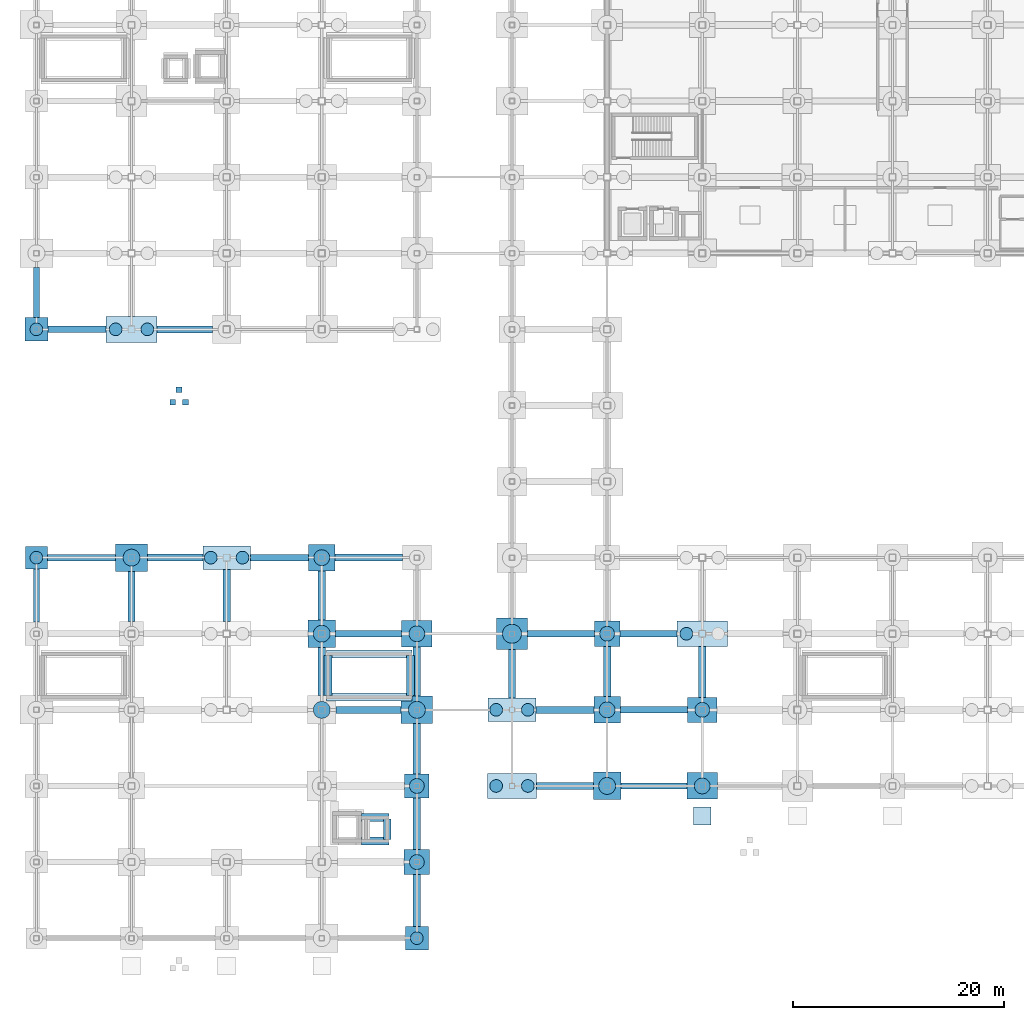
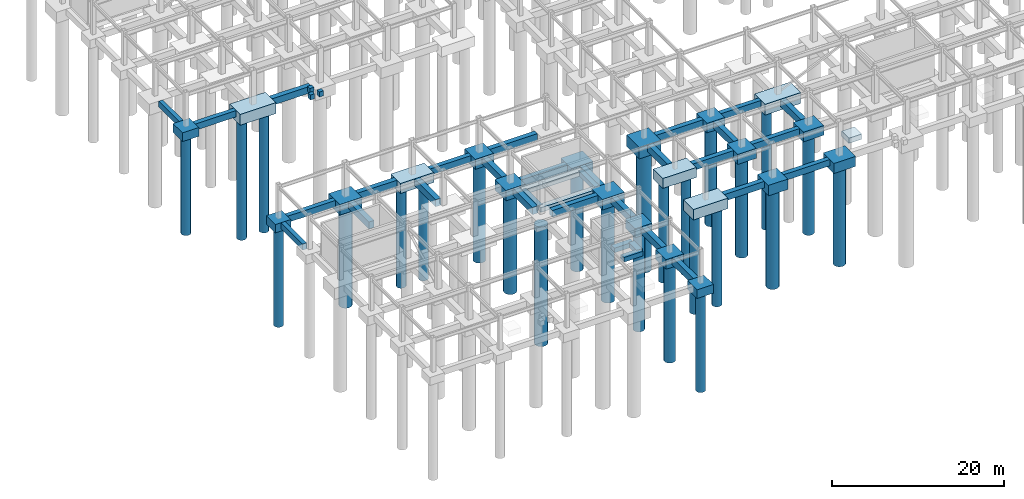
# One storey, part 2 of 28: 59 footings, 26 piles.
"""IFC4 building model written with IfcOpenShell, lengths in metres."""

from ifc_helpers import new_model, si_unit, direction, frame, origin, origin_2d, place, context, subcontext, project, spatial, rectangle, circle, extrude, material, material_profile, profile_set, type_object, element, save


model = new_model("IFC4")

# Units and contexts
model_context = context("Model", 3, precision=1e-05, world=origin(), true_north=direction((0.0, 1.0)))
body_context = subcontext(model_context, "Body", "Model", "MODEL_VIEW")
ifc_project = project(units=[si_unit("LENGTHUNIT", "METRE"), si_unit("AREAUNIT", "SQUARE_METRE"), si_unit("VOLUMEUNIT", "CUBIC_METRE"), si_unit("PLANEANGLEUNIT", "RADIAN"), si_unit("MASSUNIT", "GRAM", prefix="KILO")], contexts=[model_context])

# Site, building, storey
site_placement = place(None, origin())
site = spatial("IfcSite", under=ifc_project, at=site_placement, CompositionType="ELEMENT")
building_placement = place(site_placement, origin())
building = spatial("IfcBuilding", under=site, at=building_placement, Name="Kazanami Central Library", CompositionType="ELEMENT")
storey_placement = place(building_placement, frame((0.0, 0.0, -4.89990234375)))
storey = spatial("IfcBuildingStorey", under=building, at=storey_placement, Name="B01", CompositionType="ELEMENT", Elevation=-4.89990234375)

# Footings
ifc_material_1 = material(Name="Concrete Fc36 (36 MPa)", Category="concrete")
ifc_material_profile_1 = material_profile(ifc_material_1, rectangle(XDim=0.550048828125, YDim=0.85009765625, at=origin_2d()), Name="RC-550x850")
ifc_profile_set_1 = profile_set([ifc_material_profile_1], Name="Concrete Fc36 (36 MPa)")
footing_type_1 = type_object("IfcFootingType", Name="FTG-GB-01", PredefinedType="FOOTING_BEAM", material=ifc_profile_set_1)
footing_1_placement = place(storey_placement, frame((0.0, 29.89990234375, -0.425048828125), z_axis=(0.0, 1.0, 0.0), x_axis=(-1.0, 0.0, 0.0)))
element("IfcFooting", 1, at=footing_1_placement, inside=storey, type_object=footing_type_1, Name="Ground Tie Beam GB-01 1/E-F", PredefinedType="FOOTING_BEAM", context=body_context, shape_type="SweptSolid", body=[
    extrude(rectangle(XDim=0.550048828125, YDim=0.85009765625, at=origin_2d()), origin(), (0.0, 0.0, 1.0), 5.050048828125),
])
footing_2_placement = place(storey_placement, frame((0.0, 58.699951171875, -0.425048828125), z_axis=(0.0, 1.0, 0.0), x_axis=(-1.0, 0.0, 0.0)))
element("IfcFooting", 2, at=footing_2_placement, inside=storey, type_object=footing_type_1, Name="Ground Tie Beam GB-01 1/J-K", PredefinedType="FOOTING_BEAM", context=body_context, shape_type="SweptSolid", body=[
    extrude(rectangle(XDim=0.550048828125, YDim=0.85009765625, at=origin_2d()), origin(), (0.0, 0.0, 1.0), 4.75),
])
ifc_material_profile_2 = material_profile(ifc_material_1, rectangle(XDim=0.60009765625, YDim=0.89990234375, at=origin_2d()), Name="RC-600x900")
ifc_profile_set_2 = profile_set([ifc_material_profile_2], Name="Concrete Fc36 (36 MPa)")
footing_type_2 = type_object("IfcFootingType", Name="FTG-GB-02", PredefinedType="FOOTING_BEAM", material=ifc_profile_set_2)
footing_3_placement = place(storey_placement, frame((55.300048828125, 14.39990234375, -0.4501953125), z_axis=(1.0, 0.0, 0.0), x_axis=(0.0, 1.0, 0.0)))
element("IfcFooting", 3, at=footing_3_placement, inside=storey, type_object=footing_type_2, Name="Ground Tie Beam GB-02 C/7-8", PredefinedType="FOOTING_BEAM", context=body_context, shape_type="SweptSolid", body=[
    extrude(rectangle(XDim=0.60009765625, YDim=0.89990234375, at=origin_2d()), origin(), (0.0, 0.0, 1.0), 6.25),
])
footing_4_placement = place(storey_placement, frame((55.25, 21.60009765625, -0.4501953125), z_axis=(1.0, 0.0, 0.0), x_axis=(0.0, 1.0, 0.0)))
element("IfcFooting", 4, at=footing_4_placement, inside=storey, type_object=footing_type_2, Name="Ground Tie Beam GB-02 D/7-8", PredefinedType="FOOTING_BEAM", context=body_context, shape_type="SweptSolid", body=[
    extrude(rectangle(XDim=0.60009765625, YDim=0.89990234375, at=origin_2d()), origin(), (0.0, 0.0, 1.0), 6.375),
])
footing_5_placement = place(storey_placement, frame((55.199951171875, 28.800048828125, -0.4501953125), z_axis=(1.0, 0.0, 0.0), x_axis=(0.0, 1.0, 0.0)))
element("IfcFooting", 5, at=footing_5_placement, inside=storey, type_object=footing_type_2, Name="Ground Tie Beam GB-02 E/7-8", PredefinedType="FOOTING_BEAM", context=body_context, shape_type="SweptSolid", body=[
    extrude(rectangle(XDim=0.60009765625, YDim=0.89990234375, at=origin_2d()), origin(), (0.0, 0.0, 1.0), 5.400146484375),
])
footing_6_placement = place(storey_placement, frame((1.050048828125, 36.0, -0.4501953125), z_axis=(1.0, 0.0, 0.0), x_axis=(0.0, 1.0, 0.0)))
element("IfcFooting", 6, at=footing_6_placement, inside=storey, type_object=footing_type_2, Name="Ground Tie Beam GB-02 F/1-2", PredefinedType="FOOTING_BEAM", context=body_context, shape_type="SweptSolid", body=[
    extrude(rectangle(XDim=0.60009765625, YDim=0.89990234375, at=origin_2d()), origin(), (0.0, 0.0, 1.0), 6.449951171875),
])
for number, where, z_axis, x_axis, name in (
    (7, (20.25, 36.0, -0.4501953125), (1.0, 0.0, 0.0), (0.0, 1.0, 0.0), "Ground Tie Beam GB-02 F/3-4"),
    (8, (1.10009765625, 57.60009765625, -0.4501953125), (1.0, 0.0, 0.0), (0.0, 1.0, 0.0), "Ground Tie Beam GB-02 J/1-2"),
):
    element("IfcFooting", number, at=place(storey_placement, frame(where, z_axis=z_axis, x_axis=x_axis)), inside=storey, type_object=footing_type_2, Name=name, PredefinedType="FOOTING_BEAM", context=body_context, shape_type="SweptSolid", body=[
        extrude(rectangle(XDim=0.60009765625, YDim=0.89990234375, at=origin_2d()), origin(), (0.0, 0.0, 1.0), 5.5),
    ])
ifc_material_profile_3 = material_profile(ifc_material_1, rectangle(XDim=0.64990234375, YDim=0.949951171875, at=origin_2d()), Name="RC-650x950")
ifc_profile_set_3 = profile_set([ifc_material_profile_3], Name="Concrete Fc36 (36 MPa)")
footing_type_3 = type_object("IfcFootingType", Name="FTG-GB-03", PredefinedType="FOOTING_BEAM", material=ifc_profile_set_3)
footing_7_placement = place(storey_placement, frame((47.324951171875, 14.39990234375, -0.47509765625), z_axis=(1.0, 0.0, 0.0), x_axis=(0.0, 1.0, 0.0)))
element("IfcFooting", 9, at=footing_7_placement, inside=storey, type_object=footing_type_3, Name="Ground Tie Beam GB-03 C/6-7", PredefinedType="FOOTING_BEAM", context=body_context, shape_type="SweptSolid", body=[
    extrude(rectangle(XDim=0.64990234375, YDim=0.949951171875, at=origin_2d()), origin(), (0.0, 0.0, 1.0), 5.375),
])
footing_8_placement = place(storey_placement, frame((28.35009765625, 21.60009765625, -0.47509765625), z_axis=(1.0, 0.0, 0.0), x_axis=(0.0, 1.0, 0.0)))
element("IfcFooting", 10, at=footing_8_placement, inside=storey, type_object=footing_type_3, Name="Ground Tie Beam GB-03 D/4-5", PredefinedType="FOOTING_BEAM", context=body_context, shape_type="SweptSolid", body=[
    extrude(rectangle(XDim=0.64990234375, YDim=0.949951171875, at=origin_2d()), origin(), (0.0, 0.0, 1.0), 6.14990234375),
])
footing_9_placement = place(storey_placement, frame((47.25, 21.60009765625, -0.47509765625), z_axis=(1.0, 0.0, 0.0), x_axis=(0.0, 1.0, 0.0)))
element("IfcFooting", 11, at=footing_9_placement, inside=storey, type_object=footing_type_3, Name="Ground Tie Beam GB-03 D/6-7", PredefinedType="FOOTING_BEAM", context=body_context, shape_type="SweptSolid", body=[
    extrude(rectangle(XDim=0.64990234375, YDim=0.949951171875, at=origin_2d()), origin(), (0.0, 0.0, 1.0), 5.5),
])
footing_10_placement = place(storey_placement, frame((28.300048828125, 28.800048828125, -0.47509765625), z_axis=(1.0, 0.0, 0.0), x_axis=(0.0, 1.0, 0.0)))
element("IfcFooting", 12, at=footing_10_placement, inside=storey, type_object=footing_type_3, Name="Ground Tie Beam GB-03 E/4-5", PredefinedType="FOOTING_BEAM", context=body_context, shape_type="SweptSolid", body=[
    extrude(rectangle(XDim=0.64990234375, YDim=0.949951171875, at=origin_2d()), origin(), (0.0, 0.0, 1.0), 6.25),
])
footing_11_placement = place(storey_placement, frame((46.47509765625, 28.800048828125, -0.47509765625), z_axis=(1.0, 0.0, 0.0), x_axis=(0.0, 1.0, 0.0)))
element("IfcFooting", 13, at=footing_11_placement, inside=storey, type_object=footing_type_3, Name="Ground Tie Beam GB-03 E/6-7", PredefinedType="FOOTING_BEAM", context=body_context, shape_type="SweptSolid", body=[
    extrude(rectangle(XDim=0.64990234375, YDim=0.949951171875, at=origin_2d()), origin(), (0.0, 0.0, 1.0), 6.324951171875),
])
footing_12_placement = place(storey_placement, frame((10.5, 36.0, -0.47509765625), z_axis=(1.0, 0.0, 0.0), x_axis=(0.0, 1.0, 0.0)))
element("IfcFooting", 14, at=footing_12_placement, inside=storey, type_object=footing_type_3, Name="Ground Tie Beam GB-03 F/2-3", PredefinedType="FOOTING_BEAM", context=body_context, shape_type="SweptSolid", body=[
    extrude(rectangle(XDim=0.64990234375, YDim=0.949951171875, at=origin_2d()), origin(), (0.0, 0.0, 1.0), 5.25),
])
footing_13_placement = place(storey_placement, frame((28.25, 36.0, -0.47509765625), z_axis=(1.0, 0.0, 0.0), x_axis=(0.0, 1.0, 0.0)))
element("IfcFooting", 15, at=footing_13_placement, inside=storey, type_object=footing_type_3, Name="Ground Tie Beam GB-03 F/4-5", PredefinedType="FOOTING_BEAM", context=body_context, shape_type="SweptSolid", body=[
    extrude(rectangle(XDim=0.64990234375, YDim=0.949951171875, at=origin_2d()), origin(), (0.0, 0.0, 1.0), 6.375),
])
footing_14_placement = place(storey_placement, frame((11.39990234375, 57.60009765625, -0.47509765625), z_axis=(1.0, 0.0, 0.0), x_axis=(0.0, 1.0, 0.0)))
element("IfcFooting", 16, at=footing_14_placement, inside=storey, type_object=footing_type_3, Name="Ground Tie Beam GB-03 J/2-3", PredefinedType="FOOTING_BEAM", context=body_context, shape_type="SweptSolid", body=[
    extrude(rectangle(XDim=0.64990234375, YDim=0.949951171875, at=origin_2d()), origin(), (0.0, 0.0, 1.0), 5.25),
])
ifc_material_profile_4 = material_profile(ifc_material_1, rectangle(XDim=0.699951171875, YDim=1.0, at=origin_2d()), Name="RC-700x1000")
ifc_profile_set_4 = profile_set([ifc_material_profile_4], Name="Concrete Fc36 (36 MPa)")
footing_type_4 = type_object("IfcFootingType", Name="FTG-GB-04", PredefinedType="FOOTING_BEAM", material=ifc_profile_set_4)
footing_15_placement = place(storey_placement, frame((9.0, 29.949951171875, -0.5), z_axis=(0.0, 1.0, 0.0), x_axis=(-1.0, 0.0, 0.0)))
element("IfcFooting", 17, at=footing_15_placement, inside=storey, type_object=footing_type_4, Name="Ground Tie Beam GB-04 2/E-F", PredefinedType="FOOTING_BEAM", context=body_context, shape_type="SweptSolid", body=[
    extrude(rectangle(XDim=0.699951171875, YDim=1.0, at=origin_2d()), origin(), (0.0, 0.0, 1.0), 4.75),
])
footing_16_placement = place(storey_placement, frame((18.0, 29.97509765625, -0.5), z_axis=(0.0, 1.0, 0.0), x_axis=(-1.0, 0.0, 0.0)))
element("IfcFooting", 18, at=footing_16_placement, inside=storey, type_object=footing_type_4, Name="Ground Tie Beam GB-04 3/E-F", PredefinedType="FOOTING_BEAM", context=body_context, shape_type="SweptSolid", body=[
    extrude(rectangle(XDim=0.699951171875, YDim=1.0, at=origin_2d()), origin(), (0.0, 0.0, 1.0), 4.89990234375),
])
footing_17_placement = place(storey_placement, frame((27.0, 22.949951171875, -0.5), z_axis=(0.0, 1.0, 0.0), x_axis=(-1.0, 0.0, 0.0)))
element("IfcFooting", 19, at=footing_17_placement, inside=storey, type_object=footing_type_4, Name="Ground Tie Beam GB-04 4/D-E", PredefinedType="FOOTING_BEAM", context=body_context, shape_type="SweptSolid", body=[
    extrude(rectangle(XDim=0.699951171875, YDim=1.0, at=origin_2d()), origin(), (0.0, 0.0, 1.0), 4.550048828125),
])
footing_18_placement = place(storey_placement, frame((27.0, 30.10009765625, -0.5), z_axis=(0.0, 1.0, 0.0), x_axis=(-1.0, 0.0, 0.0)))
element("IfcFooting", 20, at=footing_18_placement, inside=storey, type_object=footing_type_4, Name="Ground Tie Beam GB-04 4/E-F", PredefinedType="FOOTING_BEAM", context=body_context, shape_type="SweptSolid", body=[
    extrude(rectangle(XDim=0.699951171875, YDim=1.0, at=origin_2d()), origin(), (0.0, 0.0, 1.0), 4.64990234375),
])
footing_19_placement = place(storey_placement, frame((36.0, 1.10009765625, -0.5), z_axis=(0.0, 1.0, 0.0), x_axis=(-1.0, 0.0, 0.0)))
element("IfcFooting", 21, at=footing_19_placement, inside=storey, type_object=footing_type_4, Name="Ground Tie Beam GB-04 5/A-B", PredefinedType="FOOTING_BEAM", context=body_context, shape_type="SweptSolid", body=[
    extrude(rectangle(XDim=0.699951171875, YDim=1.0, at=origin_2d()), origin(), (0.0, 0.0, 1.0), 4.89990234375),
])
footing_20_placement = place(storey_placement, frame((36.0, 8.39990234375, -0.5), z_axis=(0.0, 1.0, 0.0), x_axis=(-1.0, 0.0, 0.0)))
element("IfcFooting", 22, at=footing_20_placement, inside=storey, type_object=footing_type_4, Name="Ground Tie Beam GB-04 5/B-C", PredefinedType="FOOTING_BEAM", context=body_context, shape_type="SweptSolid", body=[
    extrude(rectangle(XDim=0.699951171875, YDim=1.0, at=origin_2d()), origin(), (0.0, 0.0, 1.0), 4.85009765625),
])
footing_21_placement = place(storey_placement, frame((36.0, 15.550048828125, -0.5), z_axis=(0.0, 1.0, 0.0), x_axis=(-1.0, 0.0, 0.0)))
element("IfcFooting", 23, at=footing_21_placement, inside=storey, type_object=footing_type_4, Name="Ground Tie Beam GB-04 5/C-D", PredefinedType="FOOTING_BEAM", context=body_context, shape_type="SweptSolid", body=[
    extrude(rectangle(XDim=0.699951171875, YDim=1.0, at=origin_2d()), origin(), (0.0, 0.0, 1.0), 4.75),
])
footing_22_placement = place(storey_placement, frame((36.0, 22.89990234375, -0.5), z_axis=(0.0, 1.0, 0.0), x_axis=(-1.0, 0.0, 0.0)))
element("IfcFooting", 24, at=footing_22_placement, inside=storey, type_object=footing_type_4, Name="Ground Tie Beam GB-04 5/D-E", PredefinedType="FOOTING_BEAM", context=body_context, shape_type="SweptSolid", body=[
    extrude(rectangle(XDim=0.699951171875, YDim=1.0, at=origin_2d()), origin(), (0.0, 0.0, 1.0), 4.650146484375),
])
footing_23_placement = place(storey_placement, frame((45.0, 22.72509765625, -0.5), z_axis=(0.0, 1.0, 0.0), x_axis=(-1.0, 0.0, 0.0)))
element("IfcFooting", 25, at=footing_23_placement, inside=storey, type_object=footing_type_4, Name="Ground Tie Beam GB-04 6/D-E", PredefinedType="FOOTING_BEAM", context=body_context, shape_type="SweptSolid", body=[
    extrude(rectangle(XDim=0.699951171875, YDim=1.0, at=origin_2d()), origin(), (0.0, 0.0, 1.0), 4.599853515625),
])
footing_24_placement = place(storey_placement, frame((54.0, 22.85009765625, -0.5), z_axis=(0.0, 1.0, 0.0), x_axis=(-1.0, 0.0, 0.0)))
element("IfcFooting", 26, at=footing_24_placement, inside=storey, type_object=footing_type_4, Name="Ground Tie Beam GB-04 7/D-E", PredefinedType="FOOTING_BEAM", context=body_context, shape_type="SweptSolid", body=[
    extrude(rectangle(XDim=0.699951171875, YDim=1.0, at=origin_2d()), origin(), (0.0, 0.0, 1.0), 4.75),
])
footing_25_placement = place(storey_placement, frame((63.0, 22.77490234375, -0.5), z_axis=(0.0, 1.0, 0.0), x_axis=(-1.0, 0.0, 0.0)))
element("IfcFooting", 27, at=footing_25_placement, inside=storey, type_object=footing_type_4, Name="Ground Tie Beam GB-04 8/D-E", PredefinedType="FOOTING_BEAM", context=body_context, shape_type="SweptSolid", body=[
    extrude(rectangle(XDim=0.699951171875, YDim=1.0, at=origin_2d()), origin(), (0.0, 0.0, 1.0), 4.800048828125),
])
footing_type_5 = type_object("IfcFootingType", Name="FTG-PC-04", PredefinedType="PILE_CAP", material=ifc_material_1)
for number, where, z_axis, x_axis, name in (
    (28, (9.0, 57.60009765625, -1.55029296875), (0.0, 0.0, 1.0), (1.0, 0.0, 0.0), "Pile Cap PC-04 at 2/J"),
    (29, (63.0, 28.800048828125, -1.55029296875), (0.0, 0.0, 1.0), (1.0, 0.0, 0.0), "Pile Cap PC-04 at 8/E"),
):
    element("IfcFooting", number, at=place(storey_placement, frame(where, z_axis=z_axis, x_axis=x_axis)), inside=storey, type_object=footing_type_5, Name=name, PredefinedType="PILE_CAP", context=body_context, shape_type="SweptSolid", body=[
        extrude(rectangle(XDim=4.800048828125, YDim=2.449951171875, at=origin_2d()), origin(), (0.0, 0.0, 1.0), 1.550048828125),
    ])
footing_type_6 = type_object("IfcFootingType", Name="FTG-PC-05", PredefinedType="PILE_CAP", material=ifc_material_1)
footing_26_placement = place(storey_placement, frame((45.0, 14.39990234375, -1.47998046875), z_axis=(0.0, 0.0, 1.0), x_axis=(1.0, 0.0, 0.0)))
element("IfcFooting", 30, at=footing_26_placement, inside=storey, type_object=footing_type_6, Name="Pile Cap PC-05 at 6/C", PredefinedType="PILE_CAP", context=body_context, shape_type="SweptSolid", body=[
    extrude(rectangle(XDim=4.64990234375, YDim=2.35009765625, at=origin_2d()), origin(), (0.0, 0.0, 1.0), 1.47998046875),
])
footing_type_7 = type_object("IfcFootingType", Name="FTG-PC-06", PredefinedType="PILE_CAP", material=ifc_material_1)
for number, where, z_axis, x_axis, name in (
    (31, (18.0, 36.0, -1.420166015625), (0.0, 0.0, 1.0), (1.0, 0.0, 0.0), "Pile Cap PC-06 at 3/F"),
    (32, (45.0, 21.60009765625, -1.420166015625), (0.0, 0.0, 1.0), (1.0, 0.0, 0.0), "Pile Cap PC-06 at 6/D"),
):
    element("IfcFooting", number, at=place(storey_placement, frame(where, z_axis=z_axis, x_axis=x_axis)), inside=storey, type_object=footing_type_7, Name=name, PredefinedType="PILE_CAP", context=body_context, shape_type="SweptSolid", body=[
        extrude(rectangle(XDim=4.5, YDim=2.25, at=origin_2d()), origin(), (0.0, 0.0, 1.0), 1.419921875),
    ])
footing_type_8 = type_object("IfcFootingType", Name="FTG-PC-07", PredefinedType="PILE_CAP", material=ifc_material_1)
footing_27_placement = place(storey_placement, frame((45.0, 28.800048828125, -1.650146484375), z_axis=(0.0, 0.0, 1.0), x_axis=(1.0, 0.0, 0.0)))
element("IfcFooting", 33, at=footing_27_placement, inside=storey, type_object=footing_type_8, Name="Pile Cap PC-07 at 6/E", PredefinedType="PILE_CAP", context=body_context, shape_type="SweptSolid", body=[
    extrude(rectangle(XDim=2.949951171875, YDim=2.949951171875, at=origin_2d()), origin(), (0.0, 0.0, 1.0), 1.64990234375),
])
footing_type_9 = type_object("IfcFootingType", Name="FTG-PC-10", PredefinedType="PILE_CAP", material=ifc_material_1)
for number, where, z_axis, x_axis, name in (
    (34, (27.0, 28.800048828125, -1.47998046875), (0.0, 0.0, 1.0), (1.0, 0.0, 0.0), "Pile Cap PC-10 at 4/E"),
    (35, (54.0, 14.39990234375, -1.47998046875), (0.0, 0.0, 1.0), (1.0, 0.0, 0.0), "Pile Cap PC-10 at 7/C"),
):
    element("IfcFooting", number, at=place(storey_placement, frame(where, z_axis=z_axis, x_axis=x_axis)), inside=storey, type_object=footing_type_9, Name=name, PredefinedType="PILE_CAP", context=body_context, shape_type="SweptSolid", body=[
        extrude(rectangle(XDim=2.60009765625, YDim=2.60009765625, at=origin_2d()), origin(), (0.0, 0.0, 1.0), 1.47998046875),
    ])
footing_type_10 = type_object("IfcFootingType", Name="FTG-PC-11", PredefinedType="PILE_CAP", material=ifc_material_1)
for number, where, z_axis, x_axis, name in (
    (36, (27.0, 36.0, -1.420166015625), (0.0, 0.0, 1.0), (1.0, 0.0, 0.0), "Pile Cap PC-11 at 4/F"),
    (37, (54.0, 21.60009765625, -1.420166015625), (0.0, 0.0, 1.0), (1.0, 0.0, 0.0), "Pile Cap PC-11 at 7/D"),
):
    element("IfcFooting", number, at=place(storey_placement, frame(where, z_axis=z_axis, x_axis=x_axis)), inside=storey, type_object=footing_type_10, Name=name, PredefinedType="PILE_CAP", context=body_context, shape_type="SweptSolid", body=[
        extrude(rectangle(XDim=2.5, YDim=2.5, at=origin_2d()), origin(), (0.0, 0.0, 1.0), 1.419921875),
    ])
footing_type_11 = type_object("IfcFootingType", Name="FTG-PC-12", PredefinedType="PILE_CAP", material=ifc_material_1)
for number, where, z_axis, x_axis, name in (
    (38, (36.0, 7.199951171875, -1.3603515625), (0.0, 0.0, 1.0), (1.0, 0.0, 0.0), "Pile Cap PC-12 at 5/B"),
    (39, (54.0, 28.800048828125, -1.3603515625), (0.0, 0.0, 1.0), (1.0, 0.0, 0.0), "Pile Cap PC-12 at 7/E"),
):
    element("IfcFooting", number, at=place(storey_placement, frame(where, z_axis=z_axis, x_axis=x_axis)), inside=storey, type_object=footing_type_11, Name=name, PredefinedType="PILE_CAP", context=body_context, shape_type="SweptSolid", body=[
        extrude(rectangle(XDim=2.39990234375, YDim=2.39990234375, at=origin_2d()), origin(), (0.0, 0.0, 1.0), 1.360107421875),
    ])
footing_type_12 = type_object("IfcFootingType", Name="FTG-PC-13", PredefinedType="PILE_CAP", material=ifc_material_1)
footing_28_placement = place(storey_placement, frame((36.0, 14.39990234375, -1.30029296875), z_axis=(0.0, 0.0, 1.0), x_axis=(1.0, 0.0, 0.0)))
element("IfcFooting", 40, at=footing_28_placement, inside=storey, type_object=footing_type_12, Name="Pile Cap PC-13 at 5/C", PredefinedType="PILE_CAP", context=body_context, shape_type="SweptSolid", body=[
    extrude(rectangle(XDim=2.300048828125, YDim=2.300048828125, at=origin_2d()), origin(), (0.0, 0.0, 1.0), 1.300048828125),
])
footing_type_13 = type_object("IfcFootingType", Name="FTG-PC-14", PredefinedType="PILE_CAP", material=ifc_material_1)
for number, where, z_axis, x_axis, name in (
    (41, (0.0, 57.60009765625, -1.25), (0.0, 0.0, 1.0), (1.0, 0.0, 0.0), "Pile Cap PC-14 at 1/J"),
    (42, (36.0, 0.0, -1.25), (0.0, 0.0, 1.0), (1.0, 0.0, 0.0), "Pile Cap PC-14 at 5/A"),
):
    element("IfcFooting", number, at=place(storey_placement, frame(where, z_axis=z_axis, x_axis=x_axis)), inside=storey, type_object=footing_type_13, Name=name, PredefinedType="PILE_CAP", context=body_context, shape_type="SweptSolid", body=[
        extrude(rectangle(XDim=2.199951171875, YDim=2.199951171875, at=origin_2d()), origin(), (0.0, 0.0, 1.0), 1.25),
    ])
footing_type_14 = type_object("IfcFootingType", Name="FTG-PC-15", PredefinedType="PILE_CAP", material=ifc_material_1)
footing_29_placement = place(storey_placement, frame((0.0, 36.0, -1.2001953125), z_axis=(0.0, 0.0, 1.0), x_axis=(1.0, 0.0, 0.0)))
element("IfcFooting", 43, at=footing_29_placement, inside=storey, type_object=footing_type_14, Name="Pile Cap PC-15 at 1/F", PredefinedType="PILE_CAP", context=body_context, shape_type="SweptSolid", body=[
    extrude(rectangle(XDim=2.10009765625, YDim=2.10009765625, at=origin_2d()), origin(), (0.0, 0.0, 1.0), 1.199951171875),
])
footing_type_15 = type_object("IfcFootingType", Name="FTG-PC-18", PredefinedType="PILE_CAP", material=ifc_material_1)
for number, where, z_axis, x_axis, name in (
    (44, (9.0, 36.0, -1.5), (0.0, 0.0, 1.0), (1.0, 0.0, 0.0), "Pile Cap PC-18 at 2/F"),
    (45, (36.0, 21.60009765625, -1.5), (0.0, 0.0, 1.0), (1.0, 0.0, 0.0), "Pile Cap PC-18 at 5/D"),
):
    element("IfcFooting", number, at=place(storey_placement, frame(where, z_axis=z_axis, x_axis=x_axis)), inside=storey, type_object=footing_type_15, Name=name, PredefinedType="PILE_CAP", context=body_context, shape_type="SweptSolid", body=[
        extrude(rectangle(XDim=3.0, YDim=2.60009765625, at=origin_2d()), origin(), (0.0, 0.0, 1.0), 1.5),
    ])
footing_type_16 = type_object("IfcFootingType", Name="FTG-PC-19", PredefinedType="PILE_CAP", material=ifc_material_1)
for number, where, z_axis, x_axis, name in (
    (46, (36.0, 28.800048828125, -1.440185546875), (0.0, 0.0, 1.0), (1.0, 0.0, 0.0), "Pile Cap PC-19 at 5/E"),
    (47, (63.0, 14.39990234375, -1.440185546875), (0.0, 0.0, 1.0), (1.0, 0.0, 0.0), "Pile Cap PC-19 at 8/C"),
):
    element("IfcFooting", number, at=place(storey_placement, frame(where, z_axis=z_axis, x_axis=x_axis)), inside=storey, type_object=footing_type_16, Name=name, PredefinedType="PILE_CAP", context=body_context, shape_type="SweptSolid", body=[
        extrude(rectangle(XDim=2.89990234375, YDim=2.5, at=origin_2d()), origin(), (0.0, 0.0, 1.0), 1.43994140625),
    ])
footing_type_17 = type_object("IfcFootingType", Name="FTG-PC-20", PredefinedType="PILE_CAP", material=ifc_material_1)
footing_30_placement = place(storey_placement, frame((63.0, 21.60009765625, -1.380126953125), z_axis=(0.0, 0.0, 1.0), x_axis=(1.0, 0.0, 0.0)))
element("IfcFooting", 48, at=footing_30_placement, inside=storey, type_object=footing_type_17, Name="Pile Cap PC-20 at 8/D", PredefinedType="PILE_CAP", context=body_context, shape_type="SweptSolid", body=[
    extrude(rectangle(XDim=2.75, YDim=2.35009765625, at=origin_2d()), origin(), (0.0, 0.0, 1.0), 1.3798828125),
])
ifc_material_2 = material(Name="Concrete Fc30 (30 MPa)", Category="concrete")
footing_type_18 = type_object("IfcFootingType", Name="FTG-PF-01", PredefinedType="PAD_FOOTING", material=ifc_material_2)
footing_31_placement = place(storey_placement, frame((63.0, 11.550048828125, 4.125), z_axis=(0.0, 0.0, 1.0), x_axis=(1.0, 0.0, 0.0)))
element("IfcFooting", 49, at=footing_31_placement, inside=storey, type_object=footing_type_18, Name="Canopy Post Pad Footing CAN-V1-SOUTH X=63", PredefinedType="PAD_FOOTING", context=body_context, shape_type="SweptSolid", body=[
    extrude(rectangle(XDim=1.699951171875, YDim=1.699951171875, at=origin_2d()), origin(), (0.0, 0.0, 1.0), 0.75),
])
footing_type_19 = type_object("IfcFootingType", Name="FTG-PF-R1", PredefinedType="PAD_FOOTING", material=ifc_material_2)
for number, where, z_axis, x_axis, name in (
    (50, (12.89990234375, 50.699951171875, 3.5498046875), (0.0, 0.0, 1.0), (1.0, 0.0, 0.0), "Ramp Apron Pad Footing RMP-GARDEN-NW.1"),
    (51, (14.10009765625, 50.699951171875, 3.5498046875), (0.0, 0.0, 1.0), (1.0, 0.0, 0.0), "Ramp Apron Pad Footing RMP-GARDEN-NW.2"),
    (52, (13.5, 51.8798828125, 3.5498046875), (0.0, 0.0, 1.0), (1.0, 0.0, 0.0), "Ramp Apron Pad Footing RMP-GARDEN-NW.3"),
):
    element("IfcFooting", number, at=place(storey_placement, frame(where, z_axis=z_axis, x_axis=x_axis)), inside=storey, type_object=footing_type_19, Name=name, PredefinedType="PAD_FOOTING", context=body_context, shape_type="SweptSolid", body=[
        extrude(rectangle(XDim=0.550048828125, YDim=0.550048828125, at=origin_2d()), origin(), (0.0, 0.0, 1.0), 0.699951171875),
    ])
ifc_material_profile_5 = material_profile(ifc_material_1, rectangle(XDim=0.75, YDim=0.64990234375, at=origin_2d()), Name="RC-750x650")
ifc_profile_set_5 = profile_set([ifc_material_profile_5], Name="Concrete Fc36 (36 MPa)")
footing_type_20 = type_object("IfcFootingType", Name="FTG-SF-750", PredefinedType="STRIP_FOOTING", material=ifc_profile_set_5)
for number, where, z_axis, x_axis, name in (
    (53, (27.449951171875, 22.800048828125, -0.3251953125), (1.0, 0.0, 0.0), (0.0, 1.0, 0.0), "Stair Core Strip Footing ST-08 S"),
    (54, (27.449951171875, 26.89990234375, -0.3251953125), (1.0, 0.0, 0.0), (0.0, 1.0, 0.0), "Stair Core Strip Footing ST-08 N"),
):
    element("IfcFooting", number, at=place(storey_placement, frame(where, z_axis=z_axis, x_axis=x_axis)), inside=storey, type_object=footing_type_20, Name=name, PredefinedType="STRIP_FOOTING", context=body_context, shape_type="SweptSolid", body=[
        extrude(rectangle(XDim=0.75, YDim=0.64990234375, at=origin_2d()), origin(), (0.0, 0.0, 1.0), 8.10009765625),
    ])
for number, where, z_axis, x_axis, name in (
    (55, (27.60009765625, 22.949951171875, -0.3251953125), (0.0, 1.0, 0.0), (-1.0, 0.0, 0.0), "Stair Core Strip Footing ST-08 W"),
    (56, (35.39990234375, 22.949951171875, -0.3251953125), (0.0, 1.0, 0.0), (-1.0, 0.0, 0.0), "Stair Core Strip Footing ST-08 E"),
):
    element("IfcFooting", number, at=place(storey_placement, frame(where, z_axis=z_axis, x_axis=x_axis)), inside=storey, type_object=footing_type_20, Name=name, PredefinedType="STRIP_FOOTING", context=body_context, shape_type="SweptSolid", body=[
        extrude(rectangle(XDim=0.75, YDim=0.64990234375, at=origin_2d()), origin(), (0.0, 0.0, 1.0), 3.800048828125),
    ])
for number, where, z_axis, x_axis, name in (
    (57, (30.77490234375, 9.199951171875, -0.3251953125), (1.0, 0.0, 0.0), (0.0, 1.0, 0.0), "Riser Shaft Strip Footing RSR-V3-A S"),
    (58, (30.77490234375, 11.39990234375, -0.3251953125), (1.0, 0.0, 0.0), (0.0, 1.0, 0.0), "Riser Shaft Strip Footing RSR-V3-A N"),
):
    element("IfcFooting", number, at=place(storey_placement, frame(where, z_axis=z_axis, x_axis=x_axis)), inside=storey, type_object=footing_type_20, Name=name, PredefinedType="STRIP_FOOTING", context=body_context, shape_type="SweptSolid", body=[
        extrude(rectangle(XDim=0.75, YDim=0.64990234375, at=origin_2d()), origin(), (0.0, 0.0, 1.0), 2.5751953125),
    ])
footing_32_placement = place(storey_placement, frame((33.199951171875, 9.35009765625, -0.3251953125), z_axis=(0.0, 1.0, 0.0), x_axis=(-1.0, 0.0, 0.0)))
element("IfcFooting", 59, at=footing_32_placement, inside=storey, type_object=footing_type_20, Name="Riser Shaft Strip Footing RSR-V3-A E", PredefinedType="STRIP_FOOTING", context=body_context, shape_type="SweptSolid", body=[
    extrude(rectangle(XDim=0.75, YDim=0.64990234375, at=origin_2d()), origin(), (0.0, 0.0, 1.0), 1.89990234375),
])

# Piles
ifc_material_profile_6 = material_profile(ifc_material_1, circle(Radius=0.60009765625, at=origin_2d()), Name="BORED-D1200")
ifc_profile_set_6 = profile_set([ifc_material_profile_6], Name="Concrete Fc36 (36 MPa)")
pile_type_1 = type_object("IfcPileType", Name="PIL-PL-12", PredefinedType="BORED", material=ifc_profile_set_6)
for number, where, z_axis, x_axis, name in (
    (60, (0.0, 36.0, -1.2001953125), (0.0, 0.0, -1.0), (1.0, 0.0, 0.0), "Bored Pile PL-12 1/F-1"),
    (61, (0.0, 57.60009765625, -1.25), (0.0, 0.0, -1.0), (1.0, 0.0, 0.0), "Bored Pile PL-12 1/J-1"),
):
    element("IfcPile", number, at=place(storey_placement, frame(where, z_axis=z_axis, x_axis=x_axis)), inside=storey, type_object=pile_type_1, Name=name, PredefinedType="BORED", context=body_context, shape_type="SweptSolid", body=[
        extrude(circle(Radius=0.60009765625, at=origin_2d()), origin(), (0.0, 0.0, 1.0), 14.0),
    ])
for number, where, z_axis, x_axis, name in (
    (62, (7.5, 57.60009765625, -1.550048828125), (0.0, 0.0, -1.0), (1.0, 0.0, 0.0), "Bored Pile PL-12 2/J-1"),
    (63, (10.5, 57.60009765625, -1.550048828125), (0.0, 0.0, -1.0), (1.0, 0.0, 0.0), "Bored Pile PL-12 2/J-2"),
):
    element("IfcPile", number, at=place(storey_placement, frame(where, z_axis=z_axis, x_axis=x_axis)), inside=storey, type_object=pile_type_1, Name=name, PredefinedType="BORED", context=body_context, shape_type="SweptSolid", body=[
        extrude(circle(Radius=0.60009765625, at=origin_2d()), origin(), (0.0, 0.0, 1.0), 17.0),
    ])
for number, where, z_axis, x_axis, name in (
    (64, (16.5, 36.0, -1.420166015625), (0.0, 0.0, -1.0), (1.0, 0.0, 0.0), "Bored Pile PL-12 3/F-1"),
    (65, (19.5, 36.0, -1.420166015625), (0.0, 0.0, -1.0), (1.0, 0.0, 0.0), "Bored Pile PL-12 3/F-2"),
    (66, (36.0, 0.0, -1.25), (0.0, 0.0, -1.0), (1.0, 0.0, 0.0), "Bored Pile PL-12 5/A-1"),
    (67, (43.5, 14.39990234375, -1.47998046875), (0.0, 0.0, -1.0), (1.0, 0.0, 0.0), "Bored Pile PL-12 6/C-1"),
    (68, (46.5, 14.39990234375, -1.47998046875), (0.0, 0.0, -1.0), (1.0, 0.0, 0.0), "Bored Pile PL-12 6/C-2"),
    (69, (43.5, 21.60009765625, -1.420166015625), (0.0, 0.0, -1.0), (1.0, 0.0, 0.0), "Bored Pile PL-12 6/D-1"),
    (70, (46.5, 21.60009765625, -1.420166015625), (0.0, 0.0, -1.0), (1.0, 0.0, 0.0), "Bored Pile PL-12 6/D-2"),
):
    element("IfcPile", number, at=place(storey_placement, frame(where, z_axis=z_axis, x_axis=x_axis)), inside=storey, type_object=pile_type_1, Name=name, PredefinedType="BORED", context=body_context, shape_type="SweptSolid", body=[
        extrude(circle(Radius=0.60009765625, at=origin_2d()), origin(), (0.0, 0.0, 1.0), 14.0),
    ])
pile_1_placement = place(storey_placement, frame((61.5, 28.800048828125, -1.550048828125), z_axis=(0.0, 0.0, -1.0), x_axis=(1.0, 0.0, 0.0)))
element("IfcPile", 71, at=pile_1_placement, inside=storey, type_object=pile_type_1, Name="Bored Pile PL-12 8/E-1", PredefinedType="BORED", context=body_context, shape_type="SweptSolid", body=[
    extrude(circle(Radius=0.60009765625, at=origin_2d()), origin(), (0.0, 0.0, 1.0), 17.0),
])
ifc_material_profile_7 = material_profile(ifc_material_1, circle(Radius=0.699951171875, at=origin_2d()), Name="BORED-D1400")
ifc_profile_set_7 = profile_set([ifc_material_profile_7], Name="Concrete Fc36 (36 MPa)")
pile_type_2 = type_object("IfcPileType", Name="PIL-PL-14", PredefinedType="BORED", material=ifc_profile_set_7)
for number, where, z_axis, x_axis, name in (
    (72, (36.0, 7.199951171875, -1.360107421875), (0.0, 0.0, -1.0), (1.0, 0.0, 0.0), "Bored Pile PL-14 5/B-1"),
    (73, (36.0, 14.39990234375, -1.300048828125), (0.0, 0.0, -1.0), (1.0, 0.0, 0.0), "Bored Pile PL-14 5/C-1"),
    (74, (54.0, 28.800048828125, -1.360107421875), (0.0, 0.0, -1.0), (1.0, 0.0, 0.0), "Bored Pile PL-14 7/E-1"),
    (75, (63.0, 21.60009765625, -1.380126953125), (0.0, 0.0, -1.0), (1.0, 0.0, 0.0), "Bored Pile PL-14 8/D-1"),
):
    element("IfcPile", number, at=place(storey_placement, frame(where, z_axis=z_axis, x_axis=x_axis)), inside=storey, type_object=pile_type_2, Name=name, PredefinedType="BORED", context=body_context, shape_type="SweptSolid", body=[
        extrude(circle(Radius=0.699951171875, at=origin_2d()), origin(), (0.0, 0.0, 1.0), 14.0),
    ])
ifc_material_profile_8 = material_profile(ifc_material_1, circle(Radius=0.75, at=origin_2d()), Name="BORED-D1500")
ifc_profile_set_8 = profile_set([ifc_material_profile_8], Name="Concrete Fc36 (36 MPa)")
pile_type_3 = type_object("IfcPileType", Name="PIL-PL-15", PredefinedType="BORED", material=ifc_profile_set_8)
for number, where, z_axis, x_axis, name in (
    (76, (27.0, 36.0, -1.420166015625), (0.0, 0.0, -1.0), (1.0, 0.0, 0.0), "Bored Pile PL-15 4/F-1"),
    (77, (36.0, 28.800048828125, -1.440185546875), (0.0, 0.0, -1.0), (1.0, 0.0, 0.0), "Bored Pile PL-15 5/E-1"),
    (78, (54.0, 21.60009765625, -1.420166015625), (0.0, 0.0, -1.0), (1.0, 0.0, 0.0), "Bored Pile PL-15 7/D-1"),
    (79, (63.0, 14.39990234375, -1.440185546875), (0.0, 0.0, -1.0), (1.0, 0.0, 0.0), "Bored Pile PL-15 8/C-1"),
):
    element("IfcPile", number, at=place(storey_placement, frame(where, z_axis=z_axis, x_axis=x_axis)), inside=storey, type_object=pile_type_3, Name=name, PredefinedType="BORED", context=body_context, shape_type="SweptSolid", body=[
        extrude(circle(Radius=0.75, at=origin_2d()), origin(), (0.0, 0.0, 1.0), 14.0),
    ])
ifc_material_profile_9 = material_profile(ifc_material_1, circle(Radius=0.800048828125, at=origin_2d()), Name="BORED-D1600")
ifc_profile_set_9 = profile_set([ifc_material_profile_9], Name="Concrete Fc36 (36 MPa)")
pile_type_4 = type_object("IfcPileType", Name="PIL-PL-16", PredefinedType="BORED", material=ifc_profile_set_9)
pile_2_placement = place(storey_placement, frame((9.0, 36.0, -1.5), z_axis=(0.0, 0.0, -1.0), x_axis=(1.0, 0.0, 0.0)))
element("IfcPile", 80, at=pile_2_placement, inside=storey, type_object=pile_type_4, Name="Bored Pile PL-16 2/F-1", PredefinedType="BORED", context=body_context, shape_type="SweptSolid", body=[
    extrude(circle(Radius=0.800048828125, at=origin_2d()), origin(), (0.0, 0.0, 1.0), 14.0),
])
pile_3_placement = place(storey_placement, frame((27.0, 21.60009765625, -1.52001953125), z_axis=(0.0, 0.0, -1.0), x_axis=(1.0, 0.0, 0.0)))
element("IfcPile", 81, at=pile_3_placement, inside=storey, type_object=pile_type_4, Name="Bored Pile PL-16 4/D-1", PredefinedType="BORED", context=body_context, shape_type="SweptSolid", body=[
    extrude(circle(Radius=0.800048828125, at=origin_2d()), origin(), (0.0, 0.0, 1.0), 17.0),
])
for number, where, z_axis, x_axis, name in (
    (82, (27.0, 28.800048828125, -1.47998046875), (0.0, 0.0, -1.0), (1.0, 0.0, 0.0), "Bored Pile PL-16 4/E-1"),
    (83, (36.0, 21.60009765625, -1.5), (0.0, 0.0, -1.0), (1.0, 0.0, 0.0), "Bored Pile PL-16 5/D-1"),
    (84, (54.0, 14.39990234375, -1.47998046875), (0.0, 0.0, -1.0), (1.0, 0.0, 0.0), "Bored Pile PL-16 7/C-1"),
):
    element("IfcPile", number, at=place(storey_placement, frame(where, z_axis=z_axis, x_axis=x_axis)), inside=storey, type_object=pile_type_4, Name=name, PredefinedType="BORED", context=body_context, shape_type="SweptSolid", body=[
        extrude(circle(Radius=0.800048828125, at=origin_2d()), origin(), (0.0, 0.0, 1.0), 14.0),
    ])
ifc_material_profile_10 = material_profile(ifc_material_1, circle(Radius=0.89990234375, at=origin_2d()), Name="BORED-D1800")
ifc_profile_set_10 = profile_set([ifc_material_profile_10], Name="Concrete Fc36 (36 MPa)")
pile_type_5 = type_object("IfcPileType", Name="PIL-PL-18", PredefinedType="BORED", material=ifc_profile_set_10)
pile_4_placement = place(storey_placement, frame((45.0, 28.800048828125, -1.650146484375), z_axis=(0.0, 0.0, -1.0), x_axis=(1.0, 0.0, 0.0)))
element("IfcPile", 85, at=pile_4_placement, inside=storey, type_object=pile_type_5, Name="Bored Pile PL-18 6/E-1", PredefinedType="BORED", context=body_context, shape_type="SweptSolid", body=[
    extrude(circle(Radius=0.89990234375, at=origin_2d()), origin(), (0.0, 0.0, 1.0), 17.0),
])

save(model, "model.ifc")
